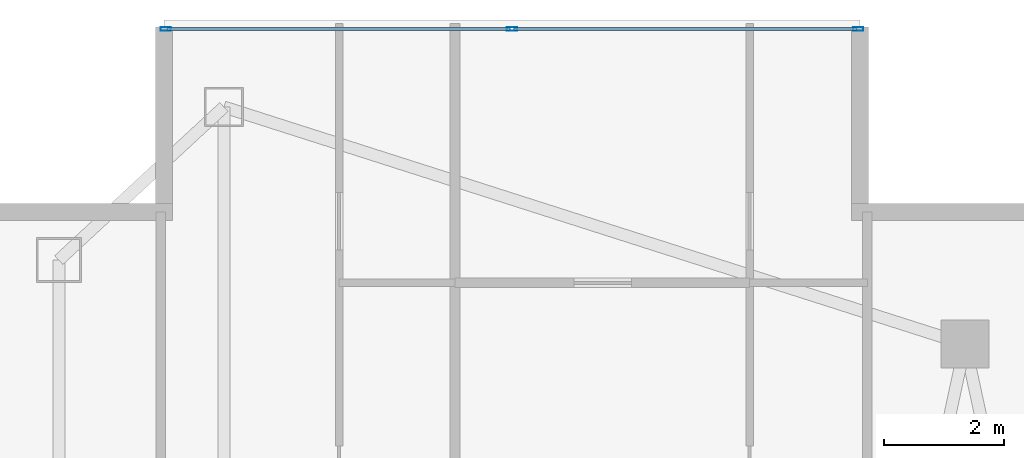
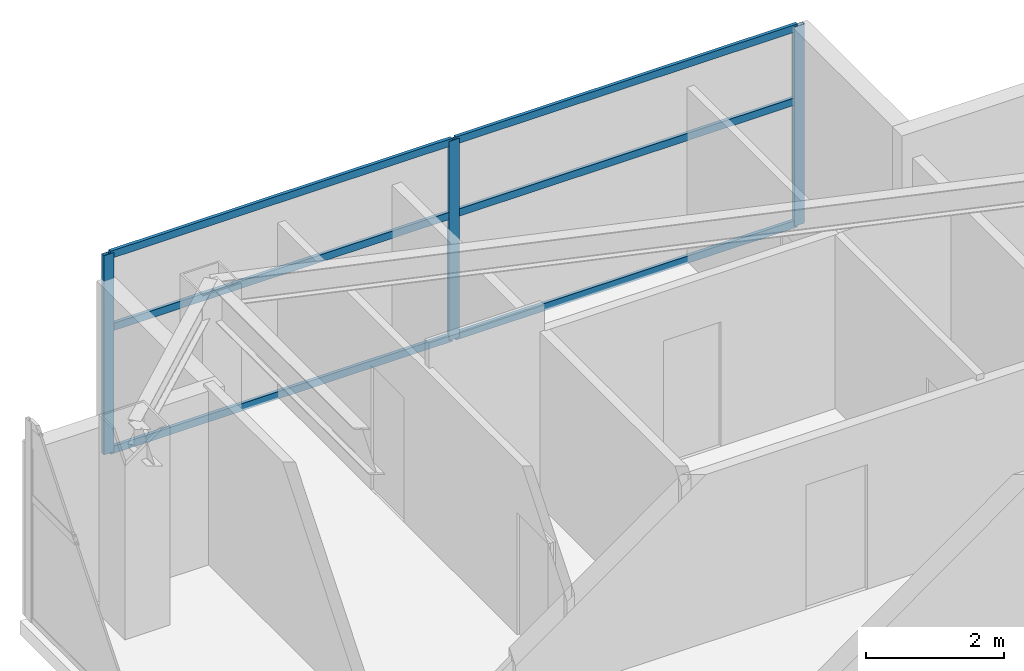
# One storey, part 20 of 27: 9 members, 1 element without a shape of its own.
"""IFC4 building model written with IfcOpenShell, lengths in metres."""

from ifc_helpers import new_model, si_unit, direction, frame, origin, origin_2d, place, context, subcontext, project, spatial, hollow_rectangle, extrude, material, layer, layer_set, material_profile, profile_set, type_object, element, aggregate, save


model = new_model("IFC4")

# Units and contexts
model_context = context("Model", 3, precision=1e-05, world=origin(), true_north=direction((0.0, 1.0)))
body_context = subcontext(model_context, "Body", "Model", "MODEL_VIEW")
ifc_project = project(units=[si_unit("LENGTHUNIT", "METRE"), si_unit("AREAUNIT", "SQUARE_METRE"), si_unit("VOLUMEUNIT", "CUBIC_METRE"), si_unit("PLANEANGLEUNIT", "RADIAN"), si_unit("MASSUNIT", "GRAM", prefix="KILO")], contexts=[model_context])

# Site, building, storey
site_placement = place(None, origin())
site = spatial("IfcSite", under=ifc_project, at=site_placement, CompositionType="ELEMENT")
building_placement = place(site_placement, origin())
building = spatial("IfcBuilding", under=site, at=building_placement, Name="Calvorn Quay Hotel", CompositionType="ELEMENT")
storey_placement = place(building_placement, frame((0.0, 0.0, 278.699951171875)))
storey = spatial("IfcBuildingStorey", under=building, at=storey_placement, Name="L69", CompositionType="ELEMENT", Elevation=278.699951171875)

# Curtain wall, members
ifc_material_1 = material(Name="Champagne Bronze Anodised Aluminium and Low-E Glass", Category="aluminium")
ifc_layer = layer(ifc_material_1, 0.219970703125)
ifc_layer_set = layer_set([ifc_layer], Name="CW-SYS-Z4")
curtain_wall_type = type_object("IfcCurtainWallType", Name="CW-SYS-Z4", PredefinedType="NOTDEFINED", material=ifc_layer_set)
curtain_wall_placement = place(storey_placement, origin())
curtain_wall = element("IfcCurtainWall", 1, at=curtain_wall_placement, inside=storey, type_object=curtain_wall_type, Name="Inner Court Curtain Wall L69-N1", PredefinedType="NOTDEFINED")
ifc_material_2 = material(Name="Champagne Bronze Anodised Aluminium 6063-T6", Category="aluminium")
ifc_material_profile_1 = material_profile(ifc_material_2, hollow_rectangle(XDim=0.06494140625, YDim=0.169921875, WallThickness=0.00341796875, at=origin_2d()), Name="ALU-M170x65x3.5")
ifc_profile_set_1 = profile_set([ifc_material_profile_1], Name="Champagne Bronze Anodised Aluminium 6063-T6")
member_type_1 = type_object("IfcMemberType", Name="CW-SYS-Z4-MUL", PredefinedType="MULLION", material=ifc_profile_set_1)
member_1_placement = place(storey_placement, frame((14.77001953125, 50.85009765625, 0.0), z_axis=(0.0, 0.0, 1.0), x_axis=(0.0, -1.0, 0.0)))
member_1 = element("IfcMember", 2, at=member_1_placement, type_object=member_type_1, Name="CW-L69-N1 mullion 1", PredefinedType="MULLION", context=body_context, shape_type="SweptSolid", body=[
    extrude(hollow_rectangle(XDim=0.06494140625, YDim=0.169921875, WallThickness=0.00341796875, at=origin_2d()), origin(), (0.0, 0.0, 1.0), 3.52001953125),
])
member_2_placement = place(storey_placement, frame((9.0, 50.85009765625, 0.0), z_axis=(0.0, 0.0, 1.0), x_axis=(0.0, -1.0, 0.0)))
member_2 = element("IfcMember", 3, at=member_2_placement, type_object=member_type_1, Name="CW-L69-N1 mullion 2", PredefinedType="MULLION", context=body_context, shape_type="SweptSolid", body=[
    extrude(hollow_rectangle(XDim=0.06494140625, YDim=0.169921875, WallThickness=0.00341796875, at=origin_2d()), origin(), (0.0, 0.0, 1.0), 3.52001953125),
])
member_3_placement = place(storey_placement, frame((3.22998046875, 50.85009765625, 0.0), z_axis=(0.0, 0.0, 1.0), x_axis=(0.0, -1.0, 0.0)))
member_3 = element("IfcMember", 4, at=member_3_placement, type_object=member_type_1, Name="CW-L69-N1 mullion 3", PredefinedType="MULLION", context=body_context, shape_type="SweptSolid", body=[
    extrude(hollow_rectangle(XDim=0.06494140625, YDim=0.169921875, WallThickness=0.00341796875, at=origin_2d()), origin(), (0.0, 0.0, 1.0), 3.52001953125),
])
ifc_material_3 = material(Name="Champagne Bronze Anodised Aluminium 6063-T6", Category="aluminium")
ifc_material_profile_2 = material_profile(ifc_material_3, hollow_rectangle(XDim=0.054931640625, YDim=0.1298828125, WallThickness=0.003173828125, at=origin_2d()), Name="ALU-T130x55x3.2")
ifc_profile_set_2 = profile_set([ifc_material_profile_2], Name="Champagne Bronze Anodised Aluminium 6063-T6")
member_type_2 = type_object("IfcMemberType", Name="CW-SYS-Z4-TRN", PredefinedType="USERDEFINED", material=ifc_profile_set_2)
member_4_placement = place(storey_placement, frame((14.739990234375, 50.85009765625, 0.030029296875), z_axis=(-1.0, 0.0, 0.0), x_axis=(0.0, -1.0, 0.0)))
member_4 = element("IfcMember", 5, at=member_4_placement, type_object=member_type_2, Name="CW-L69-N1 transom 1.1", ObjectType="TRANSOM", PredefinedType="USERDEFINED", context=body_context, shape_type="SweptSolid", body=[
    extrude(hollow_rectangle(XDim=0.054931640625, YDim=0.1298828125, WallThickness=0.003173828125, at=origin_2d()), origin(), (0.0, 0.0, 1.0), 5.7099609375),
])
member_5_placement = place(storey_placement, frame((14.739990234375, 50.85009765625, 2.199951171875), z_axis=(-1.0, 0.0, 0.0), x_axis=(0.0, -1.0, 0.0)))
member_5 = element("IfcMember", 6, at=member_5_placement, type_object=member_type_2, Name="CW-L69-N1 transom 1.2", ObjectType="TRANSOM", PredefinedType="USERDEFINED", context=body_context, shape_type="SweptSolid", body=[
    extrude(hollow_rectangle(XDim=0.054931640625, YDim=0.1298828125, WallThickness=0.003173828125, at=origin_2d()), origin(), (0.0, 0.0, 1.0), 5.7099609375),
])
member_6_placement = place(storey_placement, frame((14.739990234375, 50.85009765625, 3.489990234375), z_axis=(-1.0, 0.0, 0.0), x_axis=(0.0, -1.0, 0.0)))
member_6 = element("IfcMember", 7, at=member_6_placement, type_object=member_type_2, Name="CW-L69-N1 transom 1.3", ObjectType="TRANSOM", PredefinedType="USERDEFINED", context=body_context, shape_type="SweptSolid", body=[
    extrude(hollow_rectangle(XDim=0.054931640625, YDim=0.1298828125, WallThickness=0.003173828125, at=origin_2d()), origin(), (0.0, 0.0, 1.0), 5.7099609375),
])
member_7_placement = place(storey_placement, frame((8.969970703125, 50.85009765625, 0.030029296875), z_axis=(-1.0, 0.0, 0.0), x_axis=(0.0, -1.0, 0.0)))
member_7 = element("IfcMember", 8, at=member_7_placement, type_object=member_type_2, Name="CW-L69-N1 transom 2.1", ObjectType="TRANSOM", PredefinedType="USERDEFINED", context=body_context, shape_type="SweptSolid", body=[
    extrude(hollow_rectangle(XDim=0.054931640625, YDim=0.1298828125, WallThickness=0.003173828125, at=origin_2d()), origin(), (0.0, 0.0, 1.0), 5.7099609375),
])
member_8_placement = place(storey_placement, frame((8.969970703125, 50.85009765625, 2.199951171875), z_axis=(-1.0, 0.0, 0.0), x_axis=(0.0, -1.0, 0.0)))
member_8 = element("IfcMember", 9, at=member_8_placement, type_object=member_type_2, Name="CW-L69-N1 transom 2.2", ObjectType="TRANSOM", PredefinedType="USERDEFINED", context=body_context, shape_type="SweptSolid", body=[
    extrude(hollow_rectangle(XDim=0.054931640625, YDim=0.1298828125, WallThickness=0.003173828125, at=origin_2d()), origin(), (0.0, 0.0, 1.0), 5.7099609375),
])
member_9_placement = place(storey_placement, frame((8.969970703125, 50.85009765625, 3.489990234375), z_axis=(-1.0, 0.0, 0.0), x_axis=(0.0, -1.0, 0.0)))
member_9 = element("IfcMember", 10, at=member_9_placement, type_object=member_type_2, Name="CW-L69-N1 transom 2.3", ObjectType="TRANSOM", PredefinedType="USERDEFINED", context=body_context, shape_type="SweptSolid", body=[
    extrude(hollow_rectangle(XDim=0.054931640625, YDim=0.1298828125, WallThickness=0.003173828125, at=origin_2d()), origin(), (0.0, 0.0, 1.0), 5.7099609375),
])
aggregate(curtain_wall, [member_1, member_2, member_3, member_4, member_5, member_6, member_7, member_8, member_9])

save(model, "model.ifc")
